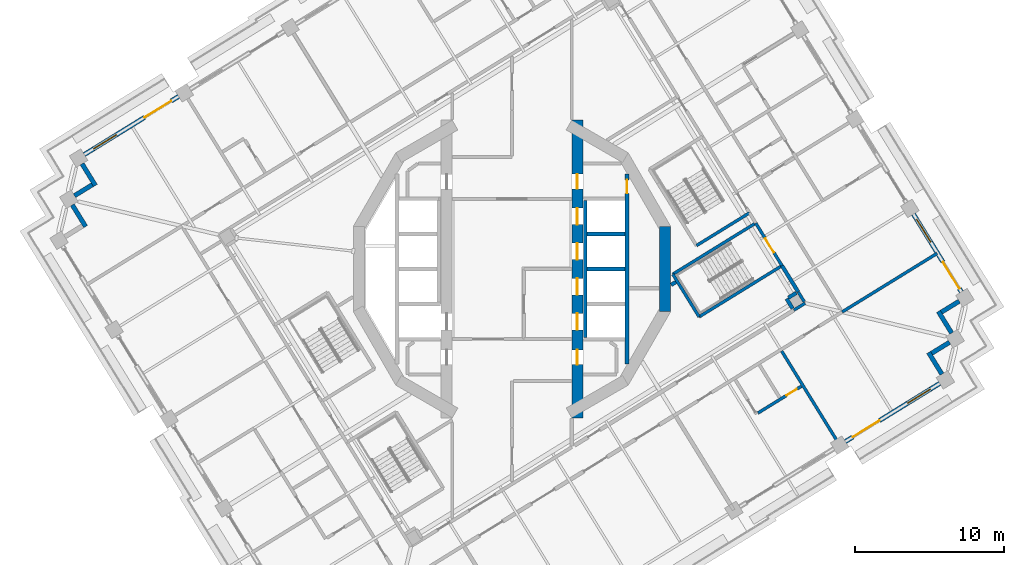
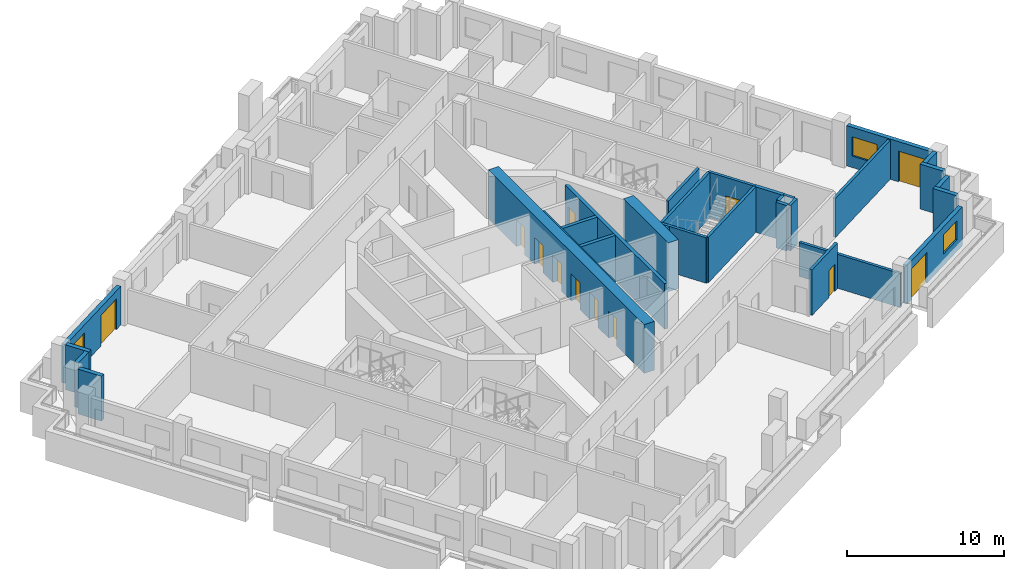
# One storey, part 7 of 21: 30 walls, 12 doors, 3 windows, 15 openings.
"""IFC4 building model written with IfcOpenShell, lengths in metres."""

from ifc_helpers import new_model, si_unit, direction, frame, frame_2d, origin, place, context, subcontext, project, spatial, rectangle, extrude, material, layer, layer_set, type_object, element, fill, save


model = new_model("IFC4")

# Units and contexts
model_context = context("Model", 3, precision=1e-05, world=origin(), true_north=direction((0.0, 1.0)))
body_context = subcontext(model_context, "Body", "Model", "MODEL_VIEW")
ifc_project = project(units=[si_unit("LENGTHUNIT", "METRE"), si_unit("AREAUNIT", "SQUARE_METRE"), si_unit("VOLUMEUNIT", "CUBIC_METRE"), si_unit("PLANEANGLEUNIT", "RADIAN"), si_unit("MASSUNIT", "GRAM", prefix="KILO")], contexts=[model_context])

# Site, building, storey
site_placement = place(None, origin())
site = spatial("IfcSite", under=ifc_project, at=site_placement, CompositionType="ELEMENT")
building_placement = place(site_placement, origin())
building = spatial("IfcBuilding", under=site, at=building_placement, Name="Cantera Rosa Tower", CompositionType="ELEMENT")
storey_placement = place(building_placement, frame((0.0, 0.0, 170.39990234375)))
storey = spatial("IfcBuildingStorey", under=building, at=storey_placement, Name="L37", CompositionType="ELEMENT", Elevation=170.39990234375)

# Walls
ifc_material_1 = material(Name="Gypsum board partition")
ifc_layer_1 = layer(ifc_material_1, 0.199951171875)
ifc_layer_set_1 = layer_set([ifc_layer_1], Name="CORRIDOR WALL 200 H3550")
wall_type_1 = type_object("IfcWallType", Name="CORRIDOR WALL 200 H3550", PredefinedType="PARTITIONING", material=ifc_layer_set_1)
wall_1_placement = place(storey_placement, frame((18.874267578125, -2.7509765625, 0.0), z_axis=(0.0, 0.0, 1.0), x_axis=(0.851162606387, 0.524902102766, 0.0)))
element("IfcWall", 1, at=wall_1_placement, inside=storey, type_object=wall_type_1, Name="CORRIDOR WALL L37-123", PredefinedType="PARTITIONING", context=body_context, shape_type="SweptSolid", body=[
    extrude(rectangle(XDim=0.8798828125, YDim=0.199951171875, at=frame_2d((0.43994140625, 0.0))), origin(), (0.0, 0.0, 1.0), 3.550048828125),
])
wall_2_placement = place(storey_placement, frame((19.560302734375, -2.18701171875, 0.0), z_axis=(0.0, 0.0, 1.0), x_axis=(-0.524849917314, 0.851194786342, 0.0)))
element("IfcWall", 2, at=wall_2_placement, inside=storey, type_object=wall_type_1, Name="CORRIDOR WALL L37-128", PredefinedType="PARTITIONING", context=body_context, shape_type="SweptSolid", body=[
    extrude(rectangle(XDim=0.760009765625, YDim=0.199951171875, at=frame_2d((0.3798828125, 0.0))), origin(), (0.0, 0.0, 1.0), 3.550048828125),
])
ifc_material_2 = material(Name="Hollow clay masonry with cantera stone cladding", Category="masonry")
ifc_layer_2 = layer(ifc_material_2, 0.300048828125)
ifc_layer_set_2 = layer_set([ifc_layer_2], Name="EW-LOGGIA 300")
wall_type_2 = type_object("IfcWallType", Name="EW-LOGGIA 300", PredefinedType="SOLIDWALL", material=ifc_layer_set_2)
wall_3_placement = place(storey_placement, frame((-28.7802734375, 7.0390625, 0.0), z_axis=(0.0, 0.0, 1.0), x_axis=(0.524994468487, -0.851105638601, 0.0)))
element("IfcWall", 3, at=wall_3_placement, inside=storey, type_object=wall_type_2, Name="EN-L37-W13a", PredefinedType="SOLIDWALL", context=body_context, shape_type="SweptSolid", body=[
    extrude(rectangle(XDim=1.7001953125, YDim=0.300048828125, at=frame_2d((0.85009765625, 0.0))), origin(), (0.0, 0.0, 1.0), 3.5),
])
wall_4_placement = place(storey_placement, frame((-28.09423828125, 5.64111328125, 0.0), z_axis=(0.0, 0.0, 1.0), x_axis=(-0.851040987269, -0.525099264891, 0.0)))
element("IfcWall", 4, at=wall_4_placement, inside=storey, type_object=wall_type_2, Name="EN-L37-W13b", PredefinedType="SOLIDWALL", context=body_context, shape_type="SweptSolid", body=[
    extrude(rectangle(XDim=1.39990234375, YDim=0.300048828125, at=frame_2d((0.699951171875, 0.0))), origin(), (0.0, 0.0, 1.0), 3.5),
])
for number, where, z_axis, x_axis, name in (
    (5, (-29.4326171875, 4.286865234375, 0.0), (0.0, 0.0, 1.0), (0.524994468487, -0.851105638601, 0.0), "EN-L37-W14a"),
    (6, (28.7802734375, -7.0390625, 0.0), (0.0, 0.0, 1.0), (-0.524994468487, 0.851105638601, 0.0), "EN-L37-W27a"),
):
    element("IfcWall", number, at=place(storey_placement, frame(where, z_axis=z_axis, x_axis=x_axis)), inside=storey, type_object=wall_type_2, Name=name, PredefinedType="SOLIDWALL", context=body_context, shape_type="SweptSolid", body=[
        extrude(rectangle(XDim=1.7001953125, YDim=0.300048828125, at=frame_2d((0.85009765625, 0.0))), origin(), (0.0, 0.0, 1.0), 3.5),
    ])
wall_5_placement = place(storey_placement, frame((28.09423828125, -5.64111328125, 0.0), z_axis=(0.0, 0.0, 1.0), x_axis=(0.851040987269, 0.525099264891, 0.0)))
element("IfcWall", 7, at=wall_5_placement, inside=storey, type_object=wall_type_2, Name="EN-L37-W27b", PredefinedType="SOLIDWALL", context=body_context, shape_type="SweptSolid", body=[
    extrude(rectangle(XDim=1.39990234375, YDim=0.300048828125, at=frame_2d((0.699951171875, 0.0))), origin(), (0.0, 0.0, 1.0), 3.5),
])
wall_6_placement = place(storey_placement, frame((29.4326171875, -4.286865234375, 0.0), z_axis=(0.0, 0.0, 1.0), x_axis=(-0.524994468487, 0.851105638601, 0.0)))
element("IfcWall", 8, at=wall_6_placement, inside=storey, type_object=wall_type_2, Name="EN-L37-W28a", PredefinedType="SOLIDWALL", context=body_context, shape_type="SweptSolid", body=[
    extrude(rectangle(XDim=1.7001953125, YDim=0.300048828125, at=frame_2d((0.85009765625, 0.0))), origin(), (0.0, 0.0, 1.0), 3.5),
])
wall_7_placement = place(storey_placement, frame((28.74658203125, -2.888916015625, 0.0), z_axis=(0.0, 0.0, 1.0), x_axis=(0.851040987269, 0.525099264891, 0.0)))
element("IfcWall", 9, at=wall_7_placement, inside=storey, type_object=wall_type_2, Name="EN-L37-W28b", PredefinedType="SOLIDWALL", context=body_context, shape_type="SweptSolid", body=[
    extrude(rectangle(XDim=1.39990234375, YDim=0.300048828125, at=frame_2d((0.699951171875, 0.0))), origin(), (0.0, 0.0, 1.0), 3.5),
])

# Wall, openings, window, door
ifc_material_3 = material(Name="Hollow clay masonry with cantera stone cladding", Category="masonry")
ifc_layer_3 = layer(ifc_material_3, 0.300048828125)
ifc_layer_set_3 = layer_set([ifc_layer_3], Name="EW-LOGGIA 300 H3020")
wall_type_3 = type_object("IfcWallType", Name="EW-LOGGIA 300 H3020", PredefinedType="SOLIDWALL", material=ifc_layer_set_3)
wall_8_placement = place(storey_placement, frame((-22.318115234375, 11.5537109375, 0.0), z_axis=(0.0, 0.0, 1.0), x_axis=(-0.851111085575, -0.524985637909, 0.0)))
wall_8 = element("IfcWall", 10, at=wall_8_placement, inside=storey, type_object=wall_type_3, Name="EN-L37-W12", PredefinedType="SOLIDWALL", context=body_context, shape_type="SweptSolid", body=[
    extrude(rectangle(XDim=7.420166015625, YDim=0.300048828125, at=frame_2d((3.7099609375, 0.0))), origin(), (0.0, 0.0, 1.0), 3.02001953125),
])
opening_1_placement = place(wall_8_placement, frame((0.580078125, 0.0, 0.0)))
opening_1 = element("IfcOpeningElement", 11, at=opening_1_placement, cuts=wall_8, Name="Opening L37-TD19", PredefinedType="OPENING", context=body_context, shape_type="SweptSolid", body=[
    extrude(rectangle(XDim=2.10009765625, YDim=2.39990234375, at=frame_2d((1.050048828125, 1.199951171875))), frame((0.0, 0.159912109375, 0.0), z_axis=(0.0, -1.0, 0.0), x_axis=(1.0, 0.0, 0.0)), (0.0, 0.0, 1.0), 0.320068359375),
])
opening_2_placement = place(wall_8_placement, frame((4.889892578125, 0.0, 0.89990234375)))
opening_2 = element("IfcOpeningElement", 12, at=opening_2_placement, cuts=wall_8, Name="Opening L37-W20", PredefinedType="OPENING", context=body_context, shape_type="SweptSolid", body=[
    extrude(rectangle(XDim=1.800048828125, YDim=1.5, at=frame_2d((0.89990234375, 0.75))), frame((0.0, 0.159912109375, 0.0), z_axis=(0.0, -1.0, 0.0), x_axis=(1.0, 0.0, 0.0)), (0.0, 0.0, 1.0), 0.320068359375),
])
ifc_material_4 = material(Name="Aluminium frame with clear glass", Category="aluminium")
window_type = type_object("IfcWindowType", Name="Hotel room window 1800x1500", PartitioningType="DOUBLE_PANEL_VERTICAL", PredefinedType="WINDOW", material=ifc_material_4)
window_1_placement = place(opening_2_placement, origin())
window_1 = element("IfcWindow", 13, at=window_1_placement, inside=storey, type_object=window_type, Name="WINDOW L37-W20", OverallHeight=1.5, OverallWidth=1.800048828125, PartitioningType="SINGLE_PANEL", PredefinedType="WINDOW", context=body_context, shape_type="SweptSolid", body=[
    extrude(rectangle(XDim=1.800048828125, YDim=1.5, at=frame_2d((0.89990234375, 0.75))), frame((0.0, 0.030029296875, 0.0), z_axis=(0.0, -1.0, 0.0), x_axis=(1.0, 0.0, 0.0)), (0.0, 0.0, 1.0), 0.06005859375),
])
fill(opening_2, window_1)
ifc_material_5 = material(Name="Aluminium frame with clear glass", Category="aluminium")
door_type_1 = type_object("IfcDoorType", Name="TD-H 2100x2400", OperationType="NOTDEFINED", PredefinedType="DOOR", material=ifc_material_5)
door_1_placement = place(opening_1_placement, origin())
door_1 = element("IfcDoor", 14, at=door_1_placement, inside=storey, type_object=door_type_1, Name="LOGGIA DOOR L37-TD19", OperationType="SLIDING_TO_LEFT", OverallHeight=2.39990234375, OverallWidth=2.10009765625, PredefinedType="DOOR", context=body_context, shape_type="SweptSolid", body=[
    extrude(rectangle(XDim=2.10009765625, YDim=2.39990234375, at=frame_2d((1.050048828125, 1.199951171875))), frame((0.0, 0.02490234375, 0.0), z_axis=(0.0, -1.0, 0.0), x_axis=(1.0, 0.0, 0.0)), (0.0, 0.0, 1.0), 0.050048828125),
])
fill(opening_1, door_1)

wall_9_placement = place(storey_placement, frame((22.318115234375, -11.5537109375, 0.0), z_axis=(0.0, 0.0, 1.0), x_axis=(0.851111085575, 0.524985637909, 0.0)))
wall_9 = element("IfcWall", 15, at=wall_9_placement, inside=storey, type_object=wall_type_3, Name="EN-L37-W26", PredefinedType="SOLIDWALL", context=body_context, shape_type="SweptSolid", body=[
    extrude(rectangle(XDim=7.420166015625, YDim=0.300048828125, at=frame_2d((3.7099609375, 0.0))), origin(), (0.0, 0.0, 1.0), 3.02001953125),
])
opening_3_placement = place(wall_9_placement, frame((0.580078125, 0.0, 0.0)))
opening_3 = element("IfcOpeningElement", 16, at=opening_3_placement, cuts=wall_9, Name="Opening L37-TD35", PredefinedType="OPENING", context=body_context, shape_type="SweptSolid", body=[
    extrude(rectangle(XDim=2.10009765625, YDim=2.39990234375, at=frame_2d((1.050048828125, 1.199951171875))), frame((0.0, 0.159912109375, 0.0), z_axis=(0.0, -1.0, 0.0), x_axis=(1.0, 0.0, 0.0)), (0.0, 0.0, 1.0), 0.320068359375),
])
opening_4_placement = place(wall_9_placement, frame((4.889892578125, 0.0, 0.89990234375)))
opening_4 = element("IfcOpeningElement", 17, at=opening_4_placement, cuts=wall_9, Name="Opening L37-W36", PredefinedType="OPENING", context=body_context, shape_type="SweptSolid", body=[
    extrude(rectangle(XDim=1.800048828125, YDim=1.5, at=frame_2d((0.89990234375, 0.75))), frame((0.0, 0.159912109375, 0.0), z_axis=(0.0, -1.0, 0.0), x_axis=(1.0, 0.0, 0.0)), (0.0, 0.0, 1.0), 0.320068359375),
])
window_2_placement = place(opening_4_placement, origin())
window_2 = element("IfcWindow", 18, at=window_2_placement, inside=storey, type_object=window_type, Name="WINDOW L37-W36", OverallHeight=1.5, OverallWidth=1.800048828125, PartitioningType="SINGLE_PANEL", PredefinedType="WINDOW", context=body_context, shape_type="SweptSolid", body=[
    extrude(rectangle(XDim=1.800048828125, YDim=1.5, at=frame_2d((0.89990234375, 0.75))), frame((0.0, 0.030029296875, 0.0), z_axis=(0.0, -1.0, 0.0), x_axis=(1.0, 0.0, 0.0)), (0.0, 0.0, 1.0), 0.06005859375),
])
fill(opening_4, window_2)
door_2_placement = place(opening_3_placement, origin())
door_2 = element("IfcDoor", 19, at=door_2_placement, inside=storey, type_object=door_type_1, Name="LOGGIA DOOR L37-TD35", OperationType="SLIDING_TO_LEFT", OverallHeight=2.39990234375, OverallWidth=2.10009765625, PredefinedType="DOOR", context=body_context, shape_type="SweptSolid", body=[
    extrude(rectangle(XDim=2.10009765625, YDim=2.39990234375, at=frame_2d((1.050048828125, 1.199951171875))), frame((0.0, 0.02490234375, 0.0), z_axis=(0.0, -1.0, 0.0), x_axis=(1.0, 0.0, 0.0)), (0.0, 0.0, 1.0), 0.050048828125),
])
fill(opening_3, door_2)

ifc_material_6 = material(Name="Hollow clay masonry with cantera stone cladding", Category="masonry")
ifc_layer_4 = layer(ifc_material_6, 0.300048828125)
ifc_layer_set_4 = layer_set([ifc_layer_4], Name="EW-LOGGIA 300 H3140")
wall_type_4 = type_object("IfcWallType", Name="EW-LOGGIA 300 H3140", PredefinedType="SOLIDWALL", material=ifc_layer_set_4)
wall_10_placement = place(storey_placement, frame((30.084716796875, -1.53466796875, 0.0), z_axis=(0.0, 0.0, 1.0), x_axis=(-0.524987447654, 0.851109969279, 0.0)))
wall_10 = element("IfcWall", 20, at=wall_10_placement, inside=storey, type_object=wall_type_4, Name="EN-L37-W01", PredefinedType="SOLIDWALL", context=body_context, shape_type="SweptSolid", body=[
    extrude(rectangle(XDim=6.119873046875, YDim=0.300048828125, at=frame_2d((3.06005859375, 0.0))), origin(), (0.0, 0.0, 1.0), 3.14013671875),
])
opening_5_placement = place(wall_10_placement, frame((0.2548828125, 0.0, 0.0)))
opening_5 = element("IfcOpeningElement", 21, at=opening_5_placement, cuts=wall_10, Name="Opening L37-TD01", PredefinedType="OPENING", context=body_context, shape_type="SweptSolid", body=[
    extrude(rectangle(XDim=2.10009765625, YDim=2.39990234375, at=frame_2d((1.050048828125, 1.199951171875))), frame((0.0, 0.159912109375, 0.0), z_axis=(0.0, -1.0, 0.0), x_axis=(1.0, 0.0, 0.0)), (0.0, 0.0, 1.0), 0.320068359375),
])
opening_6_placement = place(wall_10_placement, frame((3.9150390625, 0.0, 0.89990234375)))
opening_6 = element("IfcOpeningElement", 22, at=opening_6_placement, cuts=wall_10, Name="Opening L37-W02", PredefinedType="OPENING", context=body_context, shape_type="SweptSolid", body=[
    extrude(rectangle(XDim=1.800048828125, YDim=1.5, at=frame_2d((0.89990234375, 0.75))), frame((0.0, 0.159912109375, 0.0), z_axis=(0.0, -1.0, 0.0), x_axis=(1.0, 0.0, 0.0)), (0.0, 0.0, 1.0), 0.320068359375),
])
window_3_placement = place(opening_6_placement, origin())
window_3 = element("IfcWindow", 23, at=window_3_placement, inside=storey, type_object=window_type, Name="WINDOW L37-W02", OverallHeight=1.5, OverallWidth=1.800048828125, PartitioningType="SINGLE_PANEL", PredefinedType="WINDOW", context=body_context, shape_type="SweptSolid", body=[
    extrude(rectangle(XDim=1.800048828125, YDim=1.5, at=frame_2d((0.89990234375, 0.75))), frame((0.0, 0.030029296875, 0.0), z_axis=(0.0, -1.0, 0.0), x_axis=(1.0, 0.0, 0.0)), (0.0, 0.0, 1.0), 0.06005859375),
])
fill(opening_6, window_3)
door_3_placement = place(opening_5_placement, origin())
door_3 = element("IfcDoor", 24, at=door_3_placement, inside=storey, type_object=door_type_1, Name="LOGGIA DOOR L37-TD01", OperationType="SLIDING_TO_LEFT", OverallHeight=2.39990234375, OverallWidth=2.10009765625, PredefinedType="DOOR", context=body_context, shape_type="SweptSolid", body=[
    extrude(rectangle(XDim=2.10009765625, YDim=2.39990234375, at=frame_2d((1.050048828125, 1.199951171875))), frame((0.0, 0.02490234375, 0.0), z_axis=(0.0, -1.0, 0.0), x_axis=(1.0, 0.0, 0.0)), (0.0, 0.0, 1.0), 0.050048828125),
])
fill(opening_5, door_3)

# Wall, opening, door
ifc_material_7 = material(Name="Gypsum board partition")
ifc_layer_5 = layer(ifc_material_7, 0.199951171875)
ifc_layer_set_5 = layer_set([ifc_layer_5], Name="PARTITION 200 H3550")
wall_type_5 = type_object("IfcWallType", Name="PARTITION 200 H3550", PredefinedType="PARTITIONING", material=ifc_layer_set_5)
wall_11_placement = place(storey_placement, frame((19.36572265625, -7.8525390625, 0.0), z_axis=(0.0, 0.0, 1.0), x_axis=(-0.851104758838, -0.524995894731, 0.0)))
wall_11 = element("IfcWall", 25, at=wall_11_placement, inside=storey, type_object=wall_type_5, Name="PARTITION L37-127", PredefinedType="PARTITIONING", context=body_context, shape_type="SweptSolid", body=[
    extrude(rectangle(XDim=3.41015625, YDim=0.199951171875, at=frame_2d((1.705078125, 0.0))), origin(), (0.0, 0.0, 1.0), 3.550048828125),
])
opening_7_placement = place(wall_11_placement, frame((0.35498046875, 0.0, 0.0)))
opening_7 = element("IfcOpeningElement", 26, at=opening_7_placement, cuts=wall_11, Name="Opening L37-050", PredefinedType="OPENING", context=body_context, shape_type="SweptSolid", body=[
    extrude(rectangle(XDim=0.800048828125, YDim=2.10009765625, at=frame_2d((0.39990234375, 1.050048828125))), frame((0.0, 0.10986328125, 0.0), z_axis=(0.0, -1.0, 0.0), x_axis=(1.0, 0.0, 0.0)), (0.0, 0.0, 1.0), 0.219970703125),
])
ifc_material_8 = material(Name="Timber door leaf", Category="wood")
door_type_2 = type_object("IfcDoorType", Name="BATHROOM DOOR 800x2100", OperationType="NOTDEFINED", PredefinedType="DOOR", material=ifc_material_8)
door_4_placement = place(opening_7_placement, origin())
door_4 = element("IfcDoor", 27, at=door_4_placement, inside=storey, type_object=door_type_2, Name="DOOR L37-050", OperationType="NOTDEFINED", OverallHeight=2.10009765625, OverallWidth=0.800048828125, PredefinedType="DOOR", context=body_context, shape_type="SweptSolid", body=[
    extrude(rectangle(XDim=0.800048828125, YDim=2.10009765625, at=frame_2d((0.39990234375, 1.050048828125))), frame((0.0, 0.02490234375, 0.0), z_axis=(0.0, -1.0, 0.0), x_axis=(1.0, 0.0, 0.0)), (0.0, 0.0, 1.0), 0.050048828125),
])
fill(opening_7, door_4)

# Walls
ifc_material_9 = material(Name="Gypsum board partition")
ifc_layer_6 = layer(ifc_material_9, 0.199951171875)
ifc_layer_set_6 = layer_set([ifc_layer_6], Name="PARTY WALL 200 H2650")
wall_type_6 = type_object("IfcWallType", Name="PARTY WALL 200 H2650", PredefinedType="PARTITIONING", material=ifc_layer_set_6)
wall_12_placement = place(storey_placement, frame((18.05029296875, -5.49169921875, 0.0), z_axis=(0.0, 0.0, 1.0), x_axis=(0.52498429839, -0.851111911821, 0.0)))
element("IfcWall", 28, at=wall_12_placement, inside=storey, type_object=wall_type_6, Name="PARTY WALL L37-119", PredefinedType="PARTITIONING", context=body_context, shape_type="SweptSolid", body=[
    extrude(rectangle(XDim=7.3701171875, YDim=0.199951171875, at=frame_2d((3.68505859375, 0.0))), origin(), (0.0, 0.0, 1.0), 2.650146484375),
])
ifc_material_10 = material(Name="Gypsum board partition")
ifc_layer_7 = layer(ifc_material_10, 0.199951171875)
ifc_layer_set_7 = layer_set([ifc_layer_7], Name="PARTY WALL 200 H3050")
wall_type_7 = type_object("IfcWallType", Name="PARTY WALL 200 H3050", PredefinedType="PARTITIONING", material=ifc_layer_set_7)
wall_13_placement = place(storey_placement, frame((28.4580078125, 1.04541015625, 0.0), z_axis=(0.0, 0.0, 1.0), x_axis=(-0.85111586596, -0.524977887831, 0.0)))
element("IfcWall", 29, at=wall_13_placement, inside=storey, type_object=wall_type_7, Name="PARTY WALL L37-132", PredefinedType="PARTITIONING", context=body_context, shape_type="SweptSolid", body=[
    extrude(rectangle(XDim=7.469970703125, YDim=0.199951171875, at=frame_2d((3.73486328125, 0.0))), origin(), (0.0, 0.0, 1.0), 3.050048828125),
])
ifc_material_11 = material(Name="Concrete C60/75", Category="concrete")
ifc_layer_8 = layer(ifc_material_11, 0.75)
ifc_layer_set_8 = layer_set([ifc_layer_8], Name="RC CORE WALL 750 C60/75")
wall_type_8 = type_object("IfcWallType", Name="RC CORE WALL 750 C60/75", PredefinedType="SHEAR", material=ifc_layer_set_8)
wall_14_placement = place(storey_placement, frame((10.250244140625, 2.846923828125, 0.0), z_axis=(0.0, 0.0, 1.0), x_axis=(0.0, -1.0, 0.0)))
element("IfcWall", 30, at=wall_14_placement, inside=storey, type_object=wall_type_8, Name="CW-E3 L37", PredefinedType="SHEAR", context=body_context, shape_type="SweptSolid", body=[
    extrude(rectangle(XDim=5.69384765625, YDim=0.75, at=frame_2d((2.846923828125, 0.0))), origin(), (0.0, 0.0, 1.0), 3.800048828125),
])

# Wall, openings, doors
wall_15_placement = place(storey_placement, frame((4.375, -9.95947265625, 0.0), z_axis=(0.0, 0.0, 1.0), x_axis=(0.0, 1.0, 0.0)))
wall_15 = element("IfcWall", 31, at=wall_15_placement, inside=storey, type_object=wall_type_8, Name="CW-E6 L37", PredefinedType="SHEAR", context=body_context, shape_type="SweptSolid", body=[
    extrude(rectangle(XDim=19.9189453125, YDim=0.75, at=frame_2d((9.95947265625, 0.0))), origin(), (0.0, 0.0, 1.0), 3.800048828125),
])
opening_8_placement = place(wall_15_placement, frame((5.884521484375, 0.0, 0.0)))
opening_8 = element("IfcOpeningElement", 32, at=opening_8_placement, cuts=wall_15, Name="Opening LD-FF1-L37", PredefinedType="OPENING", context=body_context, shape_type="SweptSolid", body=[
    extrude(rectangle(XDim=1.10009765625, YDim=2.10009765625, at=frame_2d((0.550048828125, 1.050048828125))), frame((0.0, 0.385009765625, 0.0), z_axis=(0.0, -1.0, 0.0), x_axis=(1.0, 0.0, 0.0)), (0.0, 0.0, 1.0), 0.77001953125),
])
opening_9_placement = place(wall_15_placement, frame((8.234619140625, 0.0, 0.0)))
opening_9 = element("IfcOpeningElement", 33, at=opening_9_placement, cuts=wall_15, Name="Opening LD-FF2-L37", PredefinedType="OPENING", context=body_context, shape_type="SweptSolid", body=[
    extrude(rectangle(XDim=1.10009765625, YDim=2.10009765625, at=frame_2d((0.550048828125, 1.050048828125))), frame((0.0, 0.385009765625, 0.0), z_axis=(0.0, -1.0, 0.0), x_axis=(1.0, 0.0, 0.0)), (0.0, 0.0, 1.0), 0.77001953125),
])
opening_10_placement = place(wall_15_placement, frame((10.58447265625, 0.0, 0.0)))
opening_10 = element("IfcOpeningElement", 34, at=opening_10_placement, cuts=wall_15, Name="Opening LD-P1-L37", PredefinedType="OPENING", context=body_context, shape_type="SweptSolid", body=[
    extrude(rectangle(XDim=1.10009765625, YDim=2.10009765625, at=frame_2d((0.550048828125, 1.050048828125))), frame((0.0, 0.385009765625, 0.0), z_axis=(0.0, -1.0, 0.0), x_axis=(1.0, 0.0, 0.0)), (0.0, 0.0, 1.0), 0.77001953125),
])
opening_11_placement = place(wall_15_placement, frame((12.9345703125, 0.0, 0.0)))
opening_11 = element("IfcOpeningElement", 35, at=opening_11_placement, cuts=wall_15, Name="Opening LD-P2-L37", PredefinedType="OPENING", context=body_context, shape_type="SweptSolid", body=[
    extrude(rectangle(XDim=1.10009765625, YDim=2.10009765625, at=frame_2d((0.550048828125, 1.050048828125))), frame((0.0, 0.385009765625, 0.0), z_axis=(0.0, -1.0, 0.0), x_axis=(1.0, 0.0, 0.0)), (0.0, 0.0, 1.0), 0.77001953125),
])
opening_12_placement = place(wall_15_placement, frame((3.55078125, 0.0, 0.0)))
opening_12 = element("IfcOpeningElement", 36, at=opening_12_placement, cuts=wall_15, Name="Opening SD-L37-20", PredefinedType="OPENING", context=body_context, shape_type="SweptSolid", body=[
    extrude(rectangle(XDim=1.0, YDim=2.10009765625, at=frame_2d((0.5, 1.050048828125))), frame((0.0, 0.385009765625, 0.0), z_axis=(0.0, -1.0, 0.0), x_axis=(1.0, 0.0, 0.0)), (0.0, 0.0, 1.0), 0.77001953125),
])
opening_13_placement = place(wall_15_placement, frame((15.318115234375, 0.0, 0.0)))
opening_13 = element("IfcOpeningElement", 37, at=opening_13_placement, cuts=wall_15, Name="Opening SD-L37-21", PredefinedType="OPENING", context=body_context, shape_type="SweptSolid", body=[
    extrude(rectangle(XDim=1.0, YDim=2.10009765625, at=frame_2d((0.5, 1.050048828125))), frame((0.0, 0.385009765625, 0.0), z_axis=(0.0, -1.0, 0.0), x_axis=(1.0, 0.0, 0.0)), (0.0, 0.0, 1.0), 0.77001953125),
])
ifc_material_12 = material(Name="Steel S355J2 (EN 10025-2)", Category="steel")
door_type_3 = type_object("IfcDoorType", Name="LANDING DOOR 1100x2100", OperationType="NOTDEFINED", PredefinedType="DOOR", material=ifc_material_12)
door_5_placement = place(opening_8_placement, origin())
door_5 = element("IfcDoor", 38, at=door_5_placement, inside=storey, type_object=door_type_3, Name="LANDING DOOR FF1 L37", OperationType="SLIDING_TO_LEFT", OverallHeight=2.10009765625, OverallWidth=1.10009765625, PredefinedType="DOOR", context=body_context, shape_type="SweptSolid", body=[
    extrude(rectangle(XDim=1.10009765625, YDim=2.10009765625, at=frame_2d((0.550048828125, 1.050048828125))), frame((0.0, 0.02490234375, 0.0), z_axis=(0.0, -1.0, 0.0), x_axis=(1.0, 0.0, 0.0)), (0.0, 0.0, 1.0), 0.050048828125),
])
fill(opening_8, door_5)
door_6_placement = place(opening_9_placement, origin())
door_6 = element("IfcDoor", 39, at=door_6_placement, inside=storey, type_object=door_type_3, Name="LANDING DOOR FF2 L37", OperationType="SLIDING_TO_LEFT", OverallHeight=2.10009765625, OverallWidth=1.10009765625, PredefinedType="DOOR", context=body_context, shape_type="SweptSolid", body=[
    extrude(rectangle(XDim=1.10009765625, YDim=2.10009765625, at=frame_2d((0.550048828125, 1.050048828125))), frame((0.0, 0.02490234375, 0.0), z_axis=(0.0, -1.0, 0.0), x_axis=(1.0, 0.0, 0.0)), (0.0, 0.0, 1.0), 0.050048828125),
])
fill(opening_9, door_6)
door_7_placement = place(opening_10_placement, origin())
door_7 = element("IfcDoor", 40, at=door_7_placement, inside=storey, type_object=door_type_3, Name="LANDING DOOR P1 L37", OperationType="SLIDING_TO_LEFT", OverallHeight=2.10009765625, OverallWidth=1.10009765625, PredefinedType="DOOR", context=body_context, shape_type="SweptSolid", body=[
    extrude(rectangle(XDim=1.10009765625, YDim=2.10009765625, at=frame_2d((0.550048828125, 1.050048828125))), frame((0.0, 0.02490234375, 0.0), z_axis=(0.0, -1.0, 0.0), x_axis=(1.0, 0.0, 0.0)), (0.0, 0.0, 1.0), 0.050048828125),
])
fill(opening_10, door_7)
door_8_placement = place(opening_11_placement, origin())
door_8 = element("IfcDoor", 41, at=door_8_placement, inside=storey, type_object=door_type_3, Name="LANDING DOOR P2 L37", OperationType="SLIDING_TO_LEFT", OverallHeight=2.10009765625, OverallWidth=1.10009765625, PredefinedType="DOOR", context=body_context, shape_type="SweptSolid", body=[
    extrude(rectangle(XDim=1.10009765625, YDim=2.10009765625, at=frame_2d((0.550048828125, 1.050048828125))), frame((0.0, 0.02490234375, 0.0), z_axis=(0.0, -1.0, 0.0), x_axis=(1.0, 0.0, 0.0)), (0.0, 0.0, 1.0), 0.050048828125),
])
fill(opening_11, door_8)
ifc_material_13 = material(Name="Timber door leaf", Category="wood")
door_type_4 = type_object("IfcDoorType", Name="SERVICE DOOR 1000x2100", OperationType="NOTDEFINED", PredefinedType="DOOR", material=ifc_material_13)
door_9_placement = place(opening_12_placement, origin())
door_9 = element("IfcDoor", 42, at=door_9_placement, inside=storey, type_object=door_type_4, Name="DOOR L37-SD20", OperationType="NOTDEFINED", OverallHeight=2.10009765625, OverallWidth=1.0, PredefinedType="DOOR", context=body_context, shape_type="SweptSolid", body=[
    extrude(rectangle(XDim=1.0, YDim=2.10009765625, at=frame_2d((0.5, 1.050048828125))), frame((0.0, 0.02490234375, 0.0), z_axis=(0.0, -1.0, 0.0), x_axis=(1.0, 0.0, 0.0)), (0.0, 0.0, 1.0), 0.050048828125),
])
fill(opening_12, door_9)
door_10_placement = place(opening_13_placement, origin())
door_10 = element("IfcDoor", 43, at=door_10_placement, inside=storey, type_object=door_type_4, Name="DOOR L37-SD21", OperationType="NOTDEFINED", OverallHeight=2.10009765625, OverallWidth=1.0, PredefinedType="DOOR", context=body_context, shape_type="SweptSolid", body=[
    extrude(rectangle(XDim=1.0, YDim=2.10009765625, at=frame_2d((0.5, 1.050048828125))), frame((0.0, 0.02490234375, 0.0), z_axis=(0.0, -1.0, 0.0), x_axis=(1.0, 0.0, 0.0)), (0.0, 0.0, 1.0), 0.050048828125),
])
fill(opening_13, door_10)

# Walls
ifc_material_14 = material(Name="Masonry blockwork", Category="masonry")
ifc_layer_9 = layer(ifc_material_14, 0.25)
ifc_layer_set_9 = layer_set([ifc_layer_9], Name="SHAFT WALL 250 H3550")
wall_type_9 = type_object("IfcWallType", Name="SHAFT WALL 250 H3550", PredefinedType="SOLIDWALL", material=ifc_layer_set_9)
wall_16_placement = place(storey_placement, frame((5.014892578125, 0.0, 0.0), z_axis=(0.0, 0.0, 1.0), x_axis=(1.0, 0.0, 0.0)))
element("IfcWall", 44, at=wall_16_placement, inside=storey, type_object=wall_type_9, Name="SHAFT WALL L37-078", PredefinedType="SOLIDWALL", context=body_context, shape_type="SweptSolid", body=[
    extrude(rectangle(XDim=2.56005859375, YDim=0.25, at=frame_2d((1.280029296875, 0.0))), origin(), (0.0, 0.0, 1.0), 3.550048828125),
])
wall_17_placement = place(storey_placement, frame((4.89990234375, 4.574951171875, 0.0), z_axis=(0.0, 0.0, 1.0), x_axis=(0.0, -1.0, 0.0)))
element("IfcWall", 45, at=wall_17_placement, inside=storey, type_object=wall_type_9, Name="SHAFT WALL L37-081", PredefinedType="SOLIDWALL", context=body_context, shape_type="SweptSolid", body=[
    extrude(rectangle(XDim=9.14990234375, YDim=0.25, at=frame_2d((4.574951171875, 0.0))), origin(), (0.0, 0.0, 1.0), 3.550048828125),
])

# Wall, opening, door
wall_18_placement = place(storey_placement, frame((7.699951171875, -6.353515625, 0.0), z_axis=(0.0, 0.0, 1.0), x_axis=(0.0, 1.0, 0.0)))
wall_18 = element("IfcWall", 46, at=wall_18_placement, inside=storey, type_object=wall_type_9, Name="SHAFT WALL L37-092", PredefinedType="SOLIDWALL", context=body_context, shape_type="SweptSolid", body=[
    extrude(rectangle(XDim=12.70703125, YDim=0.25, at=frame_2d((6.353515625, 0.0))), origin(), (0.0, 0.0, 1.0), 3.550048828125),
])
opening_14_placement = place(wall_18_placement, frame((11.4150390625, 0.0, 0.0)))
opening_14 = element("IfcOpeningElement", 47, at=opening_14_placement, cuts=wall_18, Name="Opening L37-058", PredefinedType="OPENING", context=body_context, shape_type="SweptSolid", body=[
    extrude(rectangle(XDim=0.89990234375, YDim=2.10009765625, at=frame_2d((0.449951171875, 1.050048828125))), frame((0.0, 0.135009765625, 0.0), z_axis=(0.0, -1.0, 0.0), x_axis=(1.0, 0.0, 0.0)), (0.0, 0.0, 1.0), 0.27001953125),
])
ifc_material_15 = material(Name="Timber door leaf", Category="wood")
door_type_5 = type_object("IfcDoorType", Name="SERVICE DOOR 900x2100", OperationType="NOTDEFINED", PredefinedType="DOOR", material=ifc_material_15)
door_11_placement = place(opening_14_placement, origin())
door_11 = element("IfcDoor", 48, at=door_11_placement, inside=storey, type_object=door_type_5, Name="RISER DOOR L37-058", OperationType="NOTDEFINED", OverallHeight=2.10009765625, OverallWidth=0.89990234375, PredefinedType="DOOR", context=body_context, shape_type="SweptSolid", body=[
    extrude(rectangle(XDim=0.89990234375, YDim=2.10009765625, at=frame_2d((0.449951171875, 1.050048828125))), frame((0.0, 0.02490234375, 0.0), z_axis=(0.0, -1.0, 0.0), x_axis=(1.0, 0.0, 0.0)), (0.0, 0.0, 1.0), 0.050048828125),
])
fill(opening_14, door_11)

# Walls
wall_19_placement = place(storey_placement, frame((7.574951171875, 2.35009765625, 0.0), z_axis=(0.0, 0.0, 1.0), x_axis=(-1.0, 0.0, 0.0)))
element("IfcWall", 49, at=wall_19_placement, inside=storey, type_object=wall_type_9, Name="SHAFT WALL L37-096", PredefinedType="SOLIDWALL", context=body_context, shape_type="SweptSolid", body=[
    extrude(rectangle(XDim=2.56005859375, YDim=0.25, at=frame_2d((1.280029296875, 0.0))), origin(), (0.0, 0.0, 1.0), 3.550048828125),
])
wall_20_placement = place(storey_placement, frame((10.6552734375, -1.064697265625, 0.0), z_axis=(0.0, 0.0, 1.0), x_axis=(0.851273802502, 0.524721748333, 0.0)))
element("IfcWall", 50, at=wall_20_placement, inside=storey, type_object=wall_type_9, Name="SHAFT WALL L37-100", PredefinedType="SOLIDWALL", context=body_context, shape_type="SweptSolid", body=[
    extrude(rectangle(XDim=0.370849609375, YDim=0.25, at=frame_2d((0.185546875, 0.0))), origin(), (0.0, 0.0, 1.0), 3.550048828125),
])
wall_21_placement = place(storey_placement, frame((18.384765625, -1.99560546875, 0.0), z_axis=(0.0, 0.0, 1.0), x_axis=(0.52499344753, -0.851106268365, 0.0)))
element("IfcWall", 51, at=wall_21_placement, inside=storey, type_object=wall_type_9, Name="SHAFT WALL L37-122", PredefinedType="SOLIDWALL", context=body_context, shape_type="SweptSolid", body=[
    extrude(rectangle(XDim=0.759765625, YDim=0.25, at=frame_2d((0.3798828125, 0.0))), origin(), (0.0, 0.0, 1.0), 3.550048828125),
])
wall_22_placement = place(storey_placement, frame((19.15087890625, -1.52294921875, 0.0), z_axis=(0.0, 0.0, 1.0), x_axis=(-0.525087139425, 0.851048468661, 0.0)))
element("IfcWall", 52, at=wall_22_placement, inside=storey, type_object=wall_type_9, Name="SHAFT WALL L37-125", PredefinedType="SOLIDWALL", context=body_context, shape_type="SweptSolid", body=[
    extrude(rectangle(XDim=2.050048828125, YDim=0.25, at=frame_2d((1.02490234375, 0.0))), origin(), (0.0, 0.0, 1.0), 3.550048828125),
])
wall_23_placement = place(storey_placement, frame((19.031494140625, -1.596435546875, 0.0), z_axis=(0.0, 0.0, 1.0), x_axis=(-0.85092741859, -0.52528328385, 0.0)))
element("IfcWall", 53, at=wall_23_placement, inside=storey, type_object=wall_type_9, Name="SHAFT WALL L37-126", PredefinedType="SOLIDWALL", context=body_context, shape_type="SweptSolid", body=[
    extrude(rectangle(XDim=0.6201171875, YDim=0.25, at=frame_2d((0.31005859375, 0.0))), origin(), (0.0, 0.0, 1.0), 3.550048828125),
])
ifc_material_16 = material(Name="Concrete C50/60", Category="concrete")
ifc_layer_10 = layer(ifc_material_16, 0.199951171875)
ifc_layer_set_10 = layer_set([ifc_layer_10], Name="STAIR WALL 200 H3550")
wall_type_10 = type_object("IfcWallType", Name="STAIR WALL 200 H3550", PredefinedType="SOLIDWALL", material=ifc_layer_set_10)
wall_24_placement = place(storey_placement, frame((10.767333984375, -0.349365234375, 0.0), z_axis=(0.0, 0.0, 1.0), x_axis=(0.524938861495, -0.85113993661, 0.0)))
element("IfcWall", 54, at=wall_24_placement, inside=storey, type_object=wall_type_10, Name="STAIR WALL L37-102", PredefinedType="SOLIDWALL", context=body_context, shape_type="SweptSolid", body=[
    extrude(rectangle(XDim=3.35009765625, YDim=0.199951171875, at=frame_2d((1.675048828125, 0.0))), origin(), (0.0, 0.0, 1.0), 3.550048828125),
])
wall_25_placement = place(storey_placement, frame((12.349365234375, 1.5673828125, 0.0), z_axis=(0.0, 0.0, 1.0), x_axis=(0.851120688733, 0.524970068871, 0.0)))
element("IfcWall", 55, at=wall_25_placement, inside=storey, type_object=wall_type_10, Name="STAIR WALL L37-104", PredefinedType="SOLIDWALL", context=body_context, shape_type="SweptSolid", body=[
    extrude(rectangle(XDim=4.16650390625, YDim=0.199951171875, at=frame_2d((2.083251953125, 0.0))), origin(), (0.0, 0.0, 1.0), 3.550048828125),
])
for number, where, z_axis, x_axis, name in (
    (56, (12.52587890625, -3.20068359375, 0.0), (0.0, 0.0, 1.0), (0.851120392665, 0.524970548879, 0.0), "STAIR WALL L37-105"),
    (57, (16.31591796875, 3.072998046875, 0.0), (0.0, 0.0, 1.0), (-0.851120392665, -0.524970548879, 0.0), "STAIR WALL L37-113"),
):
    element("IfcWall", number, at=place(storey_placement, frame(where, z_axis=z_axis, x_axis=x_axis)), inside=storey, type_object=wall_type_10, Name=name, PredefinedType="SOLIDWALL", context=body_context, shape_type="SweptSolid", body=[
        extrude(rectangle(XDim=6.51904296875, YDim=0.199951171875, at=frame_2d((3.259521484375, 0.0))), origin(), (0.0, 0.0, 1.0), 3.550048828125),
    ])

# Wall, opening, door
wall_26_placement = place(storey_placement, frame((18.074462890625, 0.2216796875, 0.0), z_axis=(0.0, 0.0, 1.0), x_axis=(-0.524938861495, 0.85113993661, 0.0)))
wall_26 = element("IfcWall", 58, at=wall_26_placement, inside=storey, type_object=wall_type_10, Name="STAIR WALL L37-120", PredefinedType="SOLIDWALL", context=body_context, shape_type="SweptSolid", body=[
    extrude(rectangle(XDim=3.35009765625, YDim=0.199951171875, at=frame_2d((1.675048828125, 0.0))), origin(), (0.0, 0.0, 1.0), 3.550048828125),
])
opening_15_placement = place(wall_26_placement, frame((1.02978515625, 0.0, 0.0)))
opening_15 = element("IfcOpeningElement", 59, at=opening_15_placement, cuts=wall_26, Name="Opening L37-004", PredefinedType="OPENING", context=body_context, shape_type="SweptSolid", body=[
    extrude(rectangle(XDim=1.10009765625, YDim=2.10009765625, at=frame_2d((0.550048828125, 1.050048828125))), frame((0.0, 0.10986328125, 0.0), z_axis=(0.0, -1.0, 0.0), x_axis=(1.0, 0.0, 0.0)), (0.0, 0.0, 1.0), 0.219970703125),
])
ifc_material_17 = material(Name="Steel S355J2 (EN 10025-2)", Category="steel")
door_type_6 = type_object("IfcDoorType", Name="STAIR DOOR 1100x2100", OperationType="NOTDEFINED", PredefinedType="DOOR", material=ifc_material_17)
door_12_placement = place(opening_15_placement, origin())
door_12 = element("IfcDoor", 60, at=door_12_placement, inside=storey, type_object=door_type_6, Name="DOOR L37-004", OperationType="NOTDEFINED", OverallHeight=2.10009765625, OverallWidth=1.10009765625, PredefinedType="DOOR", context=body_context, shape_type="SweptSolid", body=[
    extrude(rectangle(XDim=1.10009765625, YDim=2.10009765625, at=frame_2d((0.550048828125, 1.050048828125))), frame((0.0, 0.02490234375, 0.0), z_axis=(0.0, -1.0, 0.0), x_axis=(1.0, 0.0, 0.0)), (0.0, 0.0, 1.0), 0.050048828125),
])
fill(opening_15, door_12)

save(model, "model.ifc")
